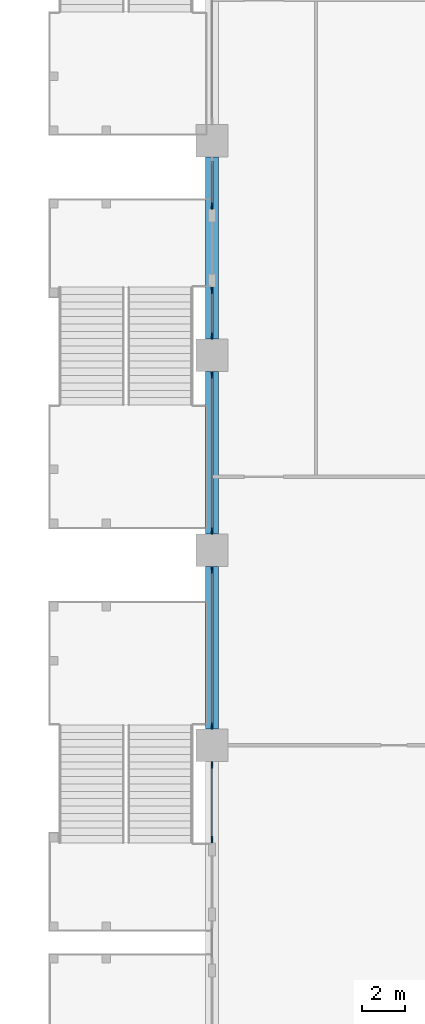
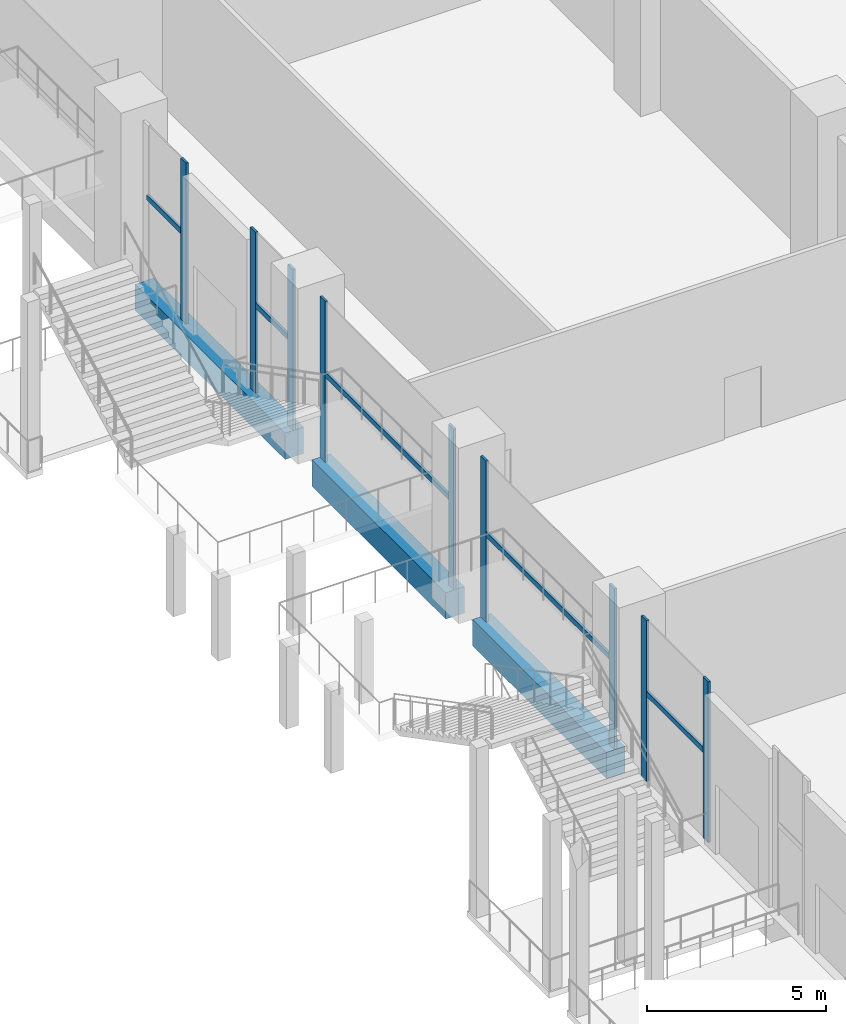
# One storey, part 6 of 47: 14 members, 3 beams, 5 elements without a shape of their own.
"""IFC4 building model written with IfcOpenShell, lengths in metres."""

from ifc_helpers import new_model, si_unit, direction, frame, origin, origin_2d, place, context, subcontext, project, spatial, rectangle, extrude, material, material_profile, profile_set, type_object, element, aggregate, save


model = new_model("IFC4")

# Units and contexts
model_context = context("Model", 3, precision=1e-05, world=origin(), true_north=direction((0.0, 1.0)))
body_context = subcontext(model_context, "Body", "Model", "MODEL_VIEW")
ifc_project = project(units=[si_unit("LENGTHUNIT", "METRE"), si_unit("AREAUNIT", "SQUARE_METRE"), si_unit("VOLUMEUNIT", "CUBIC_METRE"), si_unit("PLANEANGLEUNIT", "RADIAN"), si_unit("MASSUNIT", "GRAM", prefix="KILO")], contexts=[model_context])

# Site, building, storey
site_placement = place(None, origin())
site = spatial("IfcSite", under=ifc_project, at=site_placement, CompositionType="ELEMENT")
building_placement = place(site_placement, origin())
building = spatial("IfcBuilding", under=site, at=building_placement, Name="Candeia Pilgrim Tower and Theatre", CompositionType="ELEMENT")
storey_placement = place(building_placement, frame((0.0, 0.0, 23.0)))
storey = spatial("IfcBuildingStorey", under=building, at=storey_placement, Name="L03", CompositionType="ELEMENT", Elevation=23.0)

# Curtain wall, members
ifc_material_1 = material(Name="Aluminium framed podium glazing", Category="aluminium")
curtain_wall_type = type_object("IfcCurtainWallType", Name="CW-P curtain wall", PredefinedType="NOTDEFINED", material=ifc_material_1)
curtain_wall_1_placement = place(storey_placement, origin())
curtain_wall_1 = element("IfcCurtainWall", 1, at=curtain_wall_1_placement, inside=storey, type_object=curtain_wall_type, Name="Curtain wall CW-P L03.002", PredefinedType="NOTDEFINED")
ifc_material_2 = material(Name="Anodised aluminium", Category="aluminium")
ifc_material_profile_1 = material_profile(ifc_material_2, rectangle(XDim=0.080078125, YDim=0.300048828125, at=origin_2d()))
ifc_profile_set_1 = profile_set([ifc_material_profile_1], Name="Anodised aluminium")
member_type_1 = type_object("IfcMemberType", Name="CW-P mullion 80x300", PredefinedType="MULLION", material=ifc_profile_set_1)
member_1_placement = place(storey_placement, frame((58.800048828125, 93.64990234375, 0.0), z_axis=(0.0, 0.0, 1.0), x_axis=(-1.0, 0.0, 0.0)))
member_1 = element("IfcMember", 2, at=member_1_placement, type_object=member_type_1, Name="CW-P mullion 1", PredefinedType="MULLION", context=body_context, shape_type="SweptSolid", body=[
    extrude(rectangle(XDim=0.080078125, YDim=0.300048828125, at=origin_2d()), origin(), (0.0, 0.0, 1.0), 5.5),
])
member_2_placement = place(storey_placement, frame((58.800048828125, 97.10009765625, 0.0), z_axis=(0.0, 0.0, 1.0), x_axis=(-1.0, 0.0, 0.0)))
member_2 = element("IfcMember", 3, at=member_2_placement, type_object=member_type_1, Name="CW-P mullion 2", PredefinedType="MULLION", context=body_context, shape_type="SweptSolid", body=[
    extrude(rectangle(XDim=0.080078125, YDim=0.300048828125, at=origin_2d()), origin(), (0.0, 0.0, 1.0), 5.5),
])

curtain_wall_2_placement = place(storey_placement, origin())
curtain_wall_2 = element("IfcCurtainWall", 4, at=curtain_wall_2_placement, inside=storey, type_object=curtain_wall_type, Name="Curtain wall CW-P L03.010", PredefinedType="NOTDEFINED")
member_3_placement = place(storey_placement, frame((58.800048828125, 98.89990234375, 0.0), z_axis=(0.0, 0.0, 1.0), x_axis=(-1.0, 0.0, 0.0)))
member_3 = element("IfcMember", 5, at=member_3_placement, type_object=member_type_1, Name="CW-P mullion 1", PredefinedType="MULLION", context=body_context, shape_type="SweptSolid", body=[
    extrude(rectangle(XDim=0.080078125, YDim=0.300048828125, at=origin_2d()), origin(), (0.0, 0.0, 1.0), 5.5),
])
member_4_placement = place(storey_placement, frame((58.800048828125, 106.10009765625, 0.0), z_axis=(0.0, 0.0, 1.0), x_axis=(-1.0, 0.0, 0.0)))
member_4 = element("IfcMember", 6, at=member_4_placement, type_object=member_type_1, Name="CW-P mullion 2", PredefinedType="MULLION", context=body_context, shape_type="SweptSolid", body=[
    extrude(rectangle(XDim=0.080078125, YDim=0.300048828125, at=origin_2d()), origin(), (0.0, 0.0, 1.0), 5.5),
])

curtain_wall_3_placement = place(storey_placement, origin())
curtain_wall_3 = element("IfcCurtainWall", 7, at=curtain_wall_3_placement, inside=storey, type_object=curtain_wall_type, Name="Curtain wall CW-P L03.020", PredefinedType="NOTDEFINED")
member_5_placement = place(storey_placement, frame((58.800048828125, 107.89990234375, 0.0), z_axis=(0.0, 0.0, 1.0), x_axis=(-1.0, 0.0, 0.0)))
member_5 = element("IfcMember", 8, at=member_5_placement, type_object=member_type_1, Name="CW-P mullion 1", PredefinedType="MULLION", context=body_context, shape_type="SweptSolid", body=[
    extrude(rectangle(XDim=0.080078125, YDim=0.300048828125, at=origin_2d()), origin(), (0.0, 0.0, 1.0), 5.5),
])
member_6_placement = place(storey_placement, frame((58.800048828125, 115.10009765625, 0.0), z_axis=(0.0, 0.0, 1.0), x_axis=(-1.0, 0.0, 0.0)))
member_6 = element("IfcMember", 9, at=member_6_placement, type_object=member_type_1, Name="CW-P mullion 2", PredefinedType="MULLION", context=body_context, shape_type="SweptSolid", body=[
    extrude(rectangle(XDim=0.080078125, YDim=0.300048828125, at=origin_2d()), origin(), (0.0, 0.0, 1.0), 5.5),
])

curtain_wall_4_placement = place(storey_placement, origin())
curtain_wall_4 = element("IfcCurtainWall", 10, at=curtain_wall_4_placement, inside=storey, type_object=curtain_wall_type, Name="Curtain wall CW-P L03.030", PredefinedType="NOTDEFINED")
member_7_placement = place(storey_placement, frame((58.800048828125, 116.89990234375, 0.0), z_axis=(0.0, 0.0, 1.0), x_axis=(-1.0, 0.0, 0.0)))
member_7 = element("IfcMember", 11, at=member_7_placement, type_object=member_type_1, Name="CW-P mullion 1", PredefinedType="MULLION", context=body_context, shape_type="SweptSolid", body=[
    extrude(rectangle(XDim=0.080078125, YDim=0.300048828125, at=origin_2d()), origin(), (0.0, 0.0, 1.0), 5.5),
])
member_8_placement = place(storey_placement, frame((58.800048828125, 119.0, 0.0), z_axis=(0.0, 0.0, 1.0), x_axis=(-1.0, 0.0, 0.0)))
member_8 = element("IfcMember", 12, at=member_8_placement, type_object=member_type_1, Name="CW-P mullion 2", PredefinedType="MULLION", context=body_context, shape_type="SweptSolid", body=[
    extrude(rectangle(XDim=0.080078125, YDim=0.300048828125, at=origin_2d()), origin(), (0.0, 0.0, 1.0), 5.5),
])

# Curtain wall, member
curtain_wall_5_placement = place(storey_placement, origin())
curtain_wall_5 = element("IfcCurtainWall", 13, at=curtain_wall_5_placement, inside=storey, type_object=curtain_wall_type, Name="Curtain wall CW-P L03.031", PredefinedType="NOTDEFINED")
member_9_placement = place(storey_placement, frame((58.800048828125, 122.89990234375, 0.0), z_axis=(0.0, 0.0, 1.0), x_axis=(-1.0, 0.0, 0.0)))
member_9 = element("IfcMember", 14, at=member_9_placement, type_object=member_type_1, Name="CW-P mullion 1", PredefinedType="MULLION", context=body_context, shape_type="SweptSolid", body=[
    extrude(rectangle(XDim=0.080078125, YDim=0.300048828125, at=origin_2d()), origin(), (0.0, 0.0, 1.0), 5.5),
])

# Member
ifc_material_profile_2 = material_profile(ifc_material_2, rectangle(XDim=0.080078125, YDim=0.179931640625, at=origin_2d()))
ifc_profile_set_2 = profile_set([ifc_material_profile_2], Name="Anodised aluminium")
member_type_2 = type_object("IfcMemberType", Name="CW-P transom 80x180", PredefinedType="USERDEFINED", material=ifc_profile_set_2)
member_10_placement = place(storey_placement, frame((58.800048828125, 93.68994140625, 3.0), z_axis=(0.0, 1.0, 0.0), x_axis=(-1.0, 0.0, 0.0)))
member_10 = element("IfcMember", 15, at=member_10_placement, type_object=member_type_2, Name="CW-P transom 1.1", ObjectType="TRANSOM", PredefinedType="USERDEFINED", context=body_context, shape_type="SweptSolid", body=[
    extrude(rectangle(XDim=0.080078125, YDim=0.179931640625, at=origin_2d()), origin(), (0.0, 0.0, 1.0), 3.3701171875),
])

aggregate(curtain_wall_1, [member_1, member_2, member_10])

member_11_placement = place(storey_placement, frame((58.800048828125, 98.93994140625, 3.0), z_axis=(0.0, 1.0, 0.0), x_axis=(-1.0, 0.0, 0.0)))
member_11 = element("IfcMember", 16, at=member_11_placement, type_object=member_type_2, Name="CW-P transom 1.1", ObjectType="TRANSOM", PredefinedType="USERDEFINED", context=body_context, shape_type="SweptSolid", body=[
    extrude(rectangle(XDim=0.080078125, YDim=0.179931640625, at=origin_2d()), origin(), (0.0, 0.0, 1.0), 7.1201171875),
])

aggregate(curtain_wall_2, [member_3, member_4, member_11])

member_12_placement = place(storey_placement, frame((58.800048828125, 107.93994140625, 3.0), z_axis=(0.0, 1.0, 0.0), x_axis=(-1.0, 0.0, 0.0)))
member_12 = element("IfcMember", 17, at=member_12_placement, type_object=member_type_2, Name="CW-P transom 1.1", ObjectType="TRANSOM", PredefinedType="USERDEFINED", context=body_context, shape_type="SweptSolid", body=[
    extrude(rectangle(XDim=0.080078125, YDim=0.179931640625, at=origin_2d()), origin(), (0.0, 0.0, 1.0), 7.1201171875),
])

aggregate(curtain_wall_3, [member_5, member_6, member_12])

member_13_placement = place(storey_placement, frame((58.800048828125, 116.93994140625, 3.0), z_axis=(0.0, 1.0, 0.0), x_axis=(-1.0, 0.0, 0.0)))
member_13 = element("IfcMember", 18, at=member_13_placement, type_object=member_type_2, Name="CW-P transom 1.1", ObjectType="TRANSOM", PredefinedType="USERDEFINED", context=body_context, shape_type="SweptSolid", body=[
    extrude(rectangle(XDim=0.080078125, YDim=0.179931640625, at=origin_2d()), origin(), (0.0, 0.0, 1.0), 2.02001953125),
])

aggregate(curtain_wall_4, [member_7, member_8, member_13])

member_14_placement = place(storey_placement, frame((58.800048828125, 122.93994140625, 3.0), z_axis=(0.0, 1.0, 0.0), x_axis=(-1.0, 0.0, 0.0)))
member_14 = element("IfcMember", 19, at=member_14_placement, type_object=member_type_2, Name="CW-P transom 1.1", ObjectType="TRANSOM", PredefinedType="USERDEFINED", context=body_context, shape_type="SweptSolid", body=[
    extrude(rectangle(XDim=0.080078125, YDim=0.179931640625, at=origin_2d()), origin(), (0.0, 0.0, 1.0), 2.02001953125),
])

aggregate(curtain_wall_5, [member_9, member_14])

# Beams
ifc_material_3 = material(Name="Concrete C80/95", Category="concrete")
ifc_material_profile_3 = material_profile(ifc_material_3, rectangle(XDim=0.60009765625, YDim=0.89990234375, at=origin_2d()))
ifc_profile_set_3 = profile_set([ifc_material_profile_3], Name="Concrete C80/95")
beam_type = type_object("IfcBeamType", Name="RC 600x900 C80/95", PredefinedType="BEAM", material=ifc_profile_set_3)
beam_placement = place(storey_placement, frame((58.800048828125, 125.14990234375, -0.449951171875), z_axis=(0.0, -1.0, 0.0), x_axis=(1.0, 0.0, 0.0)))
element("IfcBeam", 20, at=beam_placement, inside=storey, type_object=beam_type, Name="Spandrel beam L03-17", PredefinedType="BEAM", context=body_context, shape_type="SweptSolid", body=[
    extrude(rectangle(XDim=0.60009765625, YDim=0.89990234375, at=origin_2d()), origin(), (0.0, 0.0, 1.0), 8.39990234375),
])
for number, where, z_axis, x_axis, name in (
    (21, (58.800048828125, 115.25, -0.449951171875), (0.0, -1.0, 0.0), (1.0, 0.0, 0.0), "Spandrel beam L03-18"),
    (22, (58.800048828125, 106.25, -0.449951171875), (0.0, -1.0, 0.0), (1.0, 0.0, 0.0), "Spandrel beam L03-19"),
):
    element("IfcBeam", number, at=place(storey_placement, frame(where, z_axis=z_axis, x_axis=x_axis)), inside=storey, type_object=beam_type, Name=name, PredefinedType="BEAM", context=body_context, shape_type="SweptSolid", body=[
        extrude(rectangle(XDim=0.60009765625, YDim=0.89990234375, at=origin_2d()), origin(), (0.0, 0.0, 1.0), 7.5),
    ])

save(model, "model.ifc")
